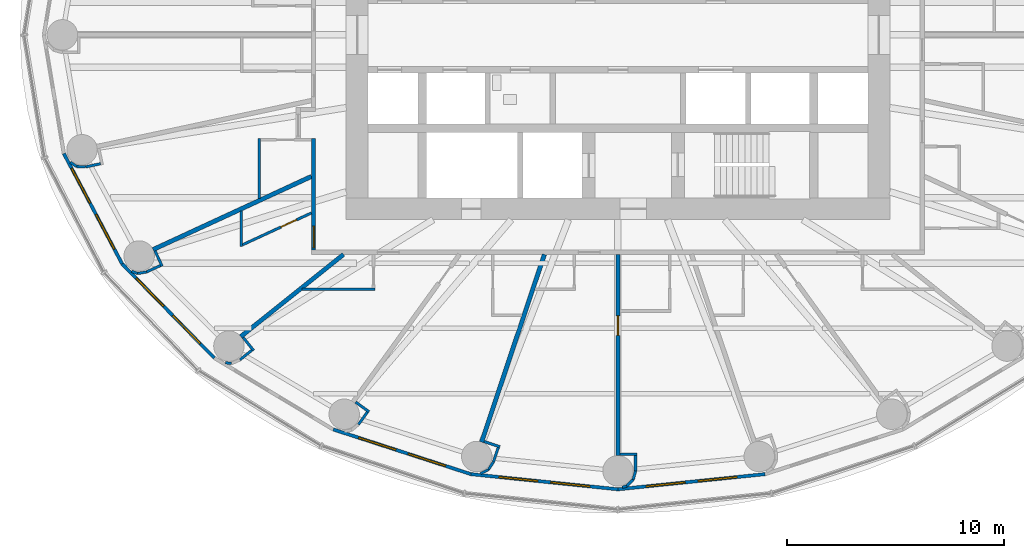
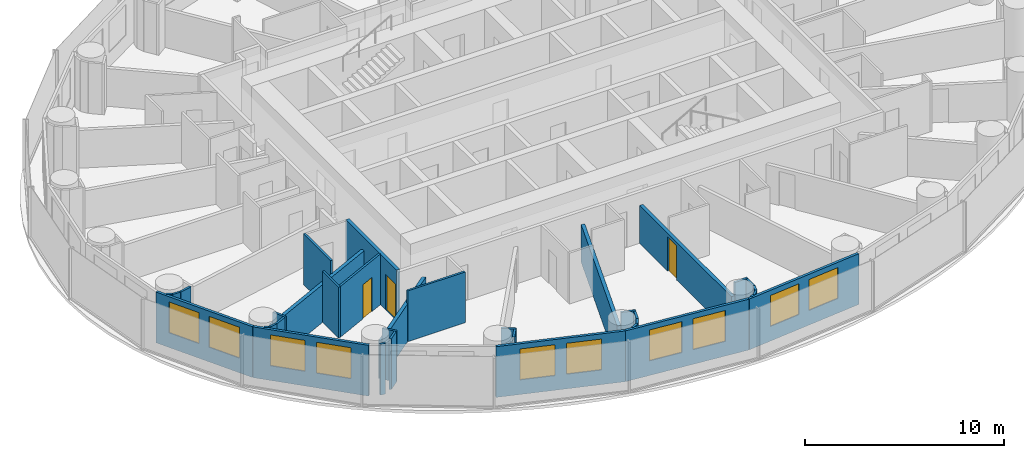
# One storey, part 6 of 16: 35 walls, 10 windows, 3 doors, 13 openings.
"""IFC4 building model written with IfcOpenShell, lengths in metres."""

from ifc_helpers import new_model, si_unit, direction, frame, frame_2d, origin, place, context, subcontext, project, spatial, rectangle, extrude, material, layer, layer_set, type_object, element, fill, save


model = new_model("IFC4")

# Units and contexts
model_context = context("Model", 3, precision=1e-05, world=origin(), true_north=direction((0.0, 1.0)))
body_context = subcontext(model_context, "Body", "Model", "MODEL_VIEW")
ifc_project = project(units=[si_unit("LENGTHUNIT", "METRE"), si_unit("AREAUNIT", "SQUARE_METRE"), si_unit("VOLUMEUNIT", "CUBIC_METRE"), si_unit("PLANEANGLEUNIT", "RADIAN"), si_unit("MASSUNIT", "GRAM", prefix="KILO")], contexts=[model_context])

# Site, building, storey
site_placement = place(None, origin())
site = spatial("IfcSite", under=ifc_project, at=site_placement, CompositionType="ELEMENT")
building_placement = place(site_placement, origin())
building = spatial("IfcBuilding", under=site, at=building_placement, Name="Hankou Lantern Tower", CompositionType="ELEMENT")
storey_placement = place(building_placement, frame((0.0, 0.0, 70.5)))
storey = spatial("IfcBuildingStorey", under=building, at=storey_placement, Name="L17", CompositionType="ELEMENT", Elevation=70.5)

# Wall, openings, windows
ifc_material_1 = material(Name="Aluminium spandrel panel on steel studs", Category="steel")
ifc_layer_1 = layer(ifc_material_1, 0.14990234375)
ifc_layer_set_1 = layer_set([ifc_layer_1], Name="Aluminium spandrel panel on steel studs")
wall_type_1 = type_object("IfcWallType", Name="EW1 INNER SKIN WALL 150", PredefinedType="ELEMENTEDWALL", material=ifc_layer_set_1)
wall_1_placement = place(storey_placement, frame((-25.482421875, -5.46240234375, 0.0), z_axis=(0.0, 0.0, 1.0), x_axis=(0.467296867008, -0.884100468321, 0.0)))
wall_1 = element("IfcWall", 1, at=wall_1_placement, inside=storey, type_object=wall_type_1, Name="Inner skin R14-R15 L17", PredefinedType="ELEMENTEDWALL", context=body_context, shape_type="SweptSolid", body=[
    extrude(rectangle(XDim=5.734375, YDim=0.14990234375, at=frame_2d((2.8671875, 0.0))), origin(), (0.0, 0.0, 1.0), 3.1201171875),
])
opening_1_placement = place(wall_1_placement, frame((0.76708984375, 0.0, 0.89990234375)))
opening_1 = element("IfcOpeningElement", 2, at=opening_1_placement, cuts=wall_1, Name="Opening W1", PredefinedType="OPENING", context=body_context, shape_type="SweptSolid", body=[
    extrude(rectangle(XDim=1.800048828125, YDim=1.89990234375, at=frame_2d((0.89990234375, 0.949951171875))), frame((0.0, 0.0849609375, 0.0), z_axis=(0.0, -1.0, 0.0), x_axis=(1.0, 0.0, 0.0)), (0.0, 0.0, 1.0), 0.169921875),
])
opening_2_placement = place(wall_1_placement, frame((3.167236328125, 0.0, 0.89990234375)))
opening_2 = element("IfcOpeningElement", 3, at=opening_2_placement, cuts=wall_1, Name="Opening W1", PredefinedType="OPENING", context=body_context, shape_type="SweptSolid", body=[
    extrude(rectangle(XDim=1.800048828125, YDim=1.89990234375, at=frame_2d((0.89990234375, 0.949951171875))), frame((0.0, 0.0849609375, 0.0), z_axis=(0.0, -1.0, 0.0), x_axis=(1.0, 0.0, 0.0)), (0.0, 0.0, 1.0), 0.169921875),
])
ifc_material_2 = material(Name="Aluminium framed double glazed window", Category="aluminium")
window_type = type_object("IfcWindowType", Name="W1 GUEST ROOM WINDOW 1800X1900", PartitioningType="DOUBLE_PANEL_VERTICAL", PredefinedType="WINDOW", material=ifc_material_2)
window_1_placement = place(opening_1_placement, origin())
window_1 = element("IfcWindow", 4, at=window_1_placement, inside=storey, type_object=window_type, Name="Window R14.1 L17", OverallHeight=1.89990234375, OverallWidth=1.800048828125, PartitioningType="SINGLE_PANEL", PredefinedType="WINDOW", context=body_context, shape_type="SweptSolid", body=[
    extrude(rectangle(XDim=1.800048828125, YDim=1.89990234375, at=frame_2d((0.89990234375, 0.949951171875))), frame((0.0, 0.030029296875, 0.0), z_axis=(0.0, -1.0, 0.0), x_axis=(1.0, 0.0, 0.0)), (0.0, 0.0, 1.0), 0.06005859375),
])
fill(opening_1, window_1)
window_2_placement = place(opening_2_placement, origin())
window_2 = element("IfcWindow", 5, at=window_2_placement, inside=storey, type_object=window_type, Name="Window R14.2 L17", OverallHeight=1.89990234375, OverallWidth=1.800048828125, PartitioningType="SINGLE_PANEL", PredefinedType="WINDOW", context=body_context, shape_type="SweptSolid", body=[
    extrude(rectangle(XDim=1.800048828125, YDim=1.89990234375, at=frame_2d((0.89990234375, 0.949951171875))), frame((0.0, 0.030029296875, 0.0), z_axis=(0.0, -1.0, 0.0), x_axis=(1.0, 0.0, 0.0)), (0.0, 0.0, 1.0), 0.06005859375),
])
fill(opening_2, window_2)

wall_2_placement = place(storey_placement, frame((-22.802734375, -10.5322265625, 0.0), z_axis=(0.0, 0.0, 1.0), x_axis=(0.699602905915, -0.714531856557, 0.0)))
wall_2 = element("IfcWall", 6, at=wall_2_placement, inside=storey, type_object=wall_type_1, Name="Inner skin R15-R16 L17", PredefinedType="ELEMENTEDWALL", context=body_context, shape_type="SweptSolid", body=[
    extrude(rectangle(XDim=6.05078125, YDim=0.14990234375, at=frame_2d((3.025390625, 0.0))), origin(), (0.0, 0.0, 1.0), 3.1201171875),
])
opening_3_placement = place(wall_2_placement, frame((0.925537109375, 0.0, 0.89990234375)))
opening_3 = element("IfcOpeningElement", 7, at=opening_3_placement, cuts=wall_2, Name="Opening W1", PredefinedType="OPENING", context=body_context, shape_type="SweptSolid", body=[
    extrude(rectangle(XDim=1.800048828125, YDim=1.89990234375, at=frame_2d((0.89990234375, 0.949951171875))), frame((0.0, 0.0849609375, 0.0), z_axis=(0.0, -1.0, 0.0), x_axis=(1.0, 0.0, 0.0)), (0.0, 0.0, 1.0), 0.169921875),
])
opening_4_placement = place(wall_2_placement, frame((3.325439453125, 0.0, 0.89990234375)))
opening_4 = element("IfcOpeningElement", 8, at=opening_4_placement, cuts=wall_2, Name="Opening W1", PredefinedType="OPENING", context=body_context, shape_type="SweptSolid", body=[
    extrude(rectangle(XDim=1.800048828125, YDim=1.89990234375, at=frame_2d((0.89990234375, 0.949951171875))), frame((0.0, 0.0849609375, 0.0), z_axis=(0.0, -1.0, 0.0), x_axis=(1.0, 0.0, 0.0)), (0.0, 0.0, 1.0), 0.169921875),
])
window_3_placement = place(opening_3_placement, origin())
window_3 = element("IfcWindow", 9, at=window_3_placement, inside=storey, type_object=window_type, Name="Window R15.1 L17", OverallHeight=1.89990234375, OverallWidth=1.800048828125, PartitioningType="SINGLE_PANEL", PredefinedType="WINDOW", context=body_context, shape_type="SweptSolid", body=[
    extrude(rectangle(XDim=1.800048828125, YDim=1.89990234375, at=frame_2d((0.89990234375, 0.949951171875))), frame((0.0, 0.030029296875, 0.0), z_axis=(0.0, -1.0, 0.0), x_axis=(1.0, 0.0, 0.0)), (0.0, 0.0, 1.0), 0.06005859375),
])
fill(opening_3, window_3)
window_4_placement = place(opening_4_placement, origin())
window_4 = element("IfcWindow", 10, at=window_4_placement, inside=storey, type_object=window_type, Name="Window R15.2 L17", OverallHeight=1.89990234375, OverallWidth=1.800048828125, PartitioningType="SINGLE_PANEL", PredefinedType="WINDOW", context=body_context, shape_type="SweptSolid", body=[
    extrude(rectangle(XDim=1.800048828125, YDim=1.89990234375, at=frame_2d((0.89990234375, 0.949951171875))), frame((0.0, 0.030029296875, 0.0), z_axis=(0.0, -1.0, 0.0), x_axis=(1.0, 0.0, 0.0)), (0.0, 0.0, 1.0), 0.06005859375),
])
fill(opening_4, window_4)

wall_3_placement = place(storey_placement, frame((-13.096435546875, -18.14697265625, 0.0), z_axis=(0.0, 0.0, 1.0), x_axis=(0.951137534625, -0.308767534285, 0.0)))
wall_3 = element("IfcWall", 11, at=wall_3_placement, inside=storey, type_object=wall_type_1, Name="Inner skin R17-R18 L17", PredefinedType="ELEMENTEDWALL", context=body_context, shape_type="SweptSolid", body=[
    extrude(rectangle(XDim=6.6552734375, YDim=0.14990234375, at=frame_2d((3.32763671875, 0.0))), origin(), (0.0, 0.0, 1.0), 3.1201171875),
])
opening_5_placement = place(wall_3_placement, frame((1.2275390625, 0.0, 0.89990234375)))
opening_5 = element("IfcOpeningElement", 12, at=opening_5_placement, cuts=wall_3, Name="Opening W1", PredefinedType="OPENING", context=body_context, shape_type="SweptSolid", body=[
    extrude(rectangle(XDim=1.800048828125, YDim=1.89990234375, at=frame_2d((0.89990234375, 0.949951171875))), frame((0.0, 0.0849609375, 0.0), z_axis=(0.0, -1.0, 0.0), x_axis=(1.0, 0.0, 0.0)), (0.0, 0.0, 1.0), 0.169921875),
])
opening_6_placement = place(wall_3_placement, frame((3.627685546875, 0.0, 0.89990234375)))
opening_6 = element("IfcOpeningElement", 13, at=opening_6_placement, cuts=wall_3, Name="Opening W1", PredefinedType="OPENING", context=body_context, shape_type="SweptSolid", body=[
    extrude(rectangle(XDim=1.800048828125, YDim=1.89990234375, at=frame_2d((0.89990234375, 0.949951171875))), frame((0.0, 0.0849609375, 0.0), z_axis=(0.0, -1.0, 0.0), x_axis=(1.0, 0.0, 0.0)), (0.0, 0.0, 1.0), 0.169921875),
])
window_5_placement = place(opening_5_placement, origin())
window_5 = element("IfcWindow", 14, at=window_5_placement, inside=storey, type_object=window_type, Name="Window R17.1 L17", OverallHeight=1.89990234375, OverallWidth=1.800048828125, PartitioningType="SINGLE_PANEL", PredefinedType="WINDOW", context=body_context, shape_type="SweptSolid", body=[
    extrude(rectangle(XDim=1.800048828125, YDim=1.89990234375, at=frame_2d((0.89990234375, 0.949951171875))), frame((0.0, 0.030029296875, 0.0), z_axis=(0.0, -1.0, 0.0), x_axis=(1.0, 0.0, 0.0)), (0.0, 0.0, 1.0), 0.06005859375),
])
fill(opening_5, window_5)
window_6_placement = place(opening_6_placement, origin())
window_6 = element("IfcWindow", 15, at=window_6_placement, inside=storey, type_object=window_type, Name="Window R17.2 L17", OverallHeight=1.89990234375, OverallWidth=1.800048828125, PartitioningType="SINGLE_PANEL", PredefinedType="WINDOW", context=body_context, shape_type="SweptSolid", body=[
    extrude(rectangle(XDim=1.800048828125, YDim=1.89990234375, at=frame_2d((0.89990234375, 0.949951171875))), frame((0.0, 0.030029296875, 0.0), z_axis=(0.0, -1.0, 0.0), x_axis=(1.0, 0.0, 0.0)), (0.0, 0.0, 1.0), 0.06005859375),
])
fill(opening_6, window_6)

wall_4_placement = place(storey_placement, frame((-6.766357421875, -20.201904296875, 0.0), z_axis=(0.0, 0.0, 1.0), x_axis=(0.994721394369, -0.102612609291, 0.0)))
wall_4 = element("IfcWall", 16, at=wall_4_placement, inside=storey, type_object=wall_type_1, Name="Inner skin R18-R19 L17", PredefinedType="ELEMENTEDWALL", context=body_context, shape_type="SweptSolid", body=[
    extrude(rectangle(XDim=6.80224609375, YDim=0.14990234375, at=frame_2d((3.401123046875, 0.0))), origin(), (0.0, 0.0, 1.0), 3.1201171875),
])
opening_7_placement = place(wall_4_placement, frame((1.301025390625, 0.0, 0.89990234375)))
opening_7 = element("IfcOpeningElement", 17, at=opening_7_placement, cuts=wall_4, Name="Opening W1", PredefinedType="OPENING", context=body_context, shape_type="SweptSolid", body=[
    extrude(rectangle(XDim=1.800048828125, YDim=1.89990234375, at=frame_2d((0.89990234375, 0.949951171875))), frame((0.0, 0.0849609375, 0.0), z_axis=(0.0, -1.0, 0.0), x_axis=(1.0, 0.0, 0.0)), (0.0, 0.0, 1.0), 0.169921875),
])
opening_8_placement = place(wall_4_placement, frame((3.701171875, 0.0, 0.89990234375)))
opening_8 = element("IfcOpeningElement", 18, at=opening_8_placement, cuts=wall_4, Name="Opening W1", PredefinedType="OPENING", context=body_context, shape_type="SweptSolid", body=[
    extrude(rectangle(XDim=1.800048828125, YDim=1.89990234375, at=frame_2d((0.89990234375, 0.949951171875))), frame((0.0, 0.0849609375, 0.0), z_axis=(0.0, -1.0, 0.0), x_axis=(1.0, 0.0, 0.0)), (0.0, 0.0, 1.0), 0.169921875),
])
window_7_placement = place(opening_7_placement, origin())
window_7 = element("IfcWindow", 19, at=window_7_placement, inside=storey, type_object=window_type, Name="Window R18.1 L17", OverallHeight=1.89990234375, OverallWidth=1.800048828125, PartitioningType="SINGLE_PANEL", PredefinedType="WINDOW", context=body_context, shape_type="SweptSolid", body=[
    extrude(rectangle(XDim=1.800048828125, YDim=1.89990234375, at=frame_2d((0.89990234375, 0.949951171875))), frame((0.0, 0.030029296875, 0.0), z_axis=(0.0, -1.0, 0.0), x_axis=(1.0, 0.0, 0.0)), (0.0, 0.0, 1.0), 0.06005859375),
])
fill(opening_7, window_7)
window_8_placement = place(opening_8_placement, origin())
window_8 = element("IfcWindow", 20, at=window_8_placement, inside=storey, type_object=window_type, Name="Window R18.2 L17", OverallHeight=1.89990234375, OverallWidth=1.800048828125, PartitioningType="SINGLE_PANEL", PredefinedType="WINDOW", context=body_context, shape_type="SweptSolid", body=[
    extrude(rectangle(XDim=1.800048828125, YDim=1.89990234375, at=frame_2d((0.89990234375, 0.949951171875))), frame((0.0, 0.030029296875, 0.0), z_axis=(0.0, -1.0, 0.0), x_axis=(1.0, 0.0, 0.0)), (0.0, 0.0, 1.0), 0.06005859375),
])
fill(opening_8, window_8)

wall_5_placement = place(storey_placement, frame((0.0, -20.89990234375, 0.0), z_axis=(0.0, 0.0, 1.0), x_axis=(0.994721394369, 0.102612609291, 0.0)))
wall_5 = element("IfcWall", 21, at=wall_5_placement, inside=storey, type_object=wall_type_1, Name="Inner skin R19-R20 L17", PredefinedType="ELEMENTEDWALL", context=body_context, shape_type="SweptSolid", body=[
    extrude(rectangle(XDim=6.80224609375, YDim=0.14990234375, at=frame_2d((3.401123046875, 0.0))), origin(), (0.0, 0.0, 1.0), 3.1201171875),
])
opening_9_placement = place(wall_5_placement, frame((1.301025390625, 0.0, 0.89990234375)))
opening_9 = element("IfcOpeningElement", 22, at=opening_9_placement, cuts=wall_5, Name="Opening W1", PredefinedType="OPENING", context=body_context, shape_type="SweptSolid", body=[
    extrude(rectangle(XDim=1.800048828125, YDim=1.89990234375, at=frame_2d((0.89990234375, 0.949951171875))), frame((0.0, 0.0849609375, 0.0), z_axis=(0.0, -1.0, 0.0), x_axis=(1.0, 0.0, 0.0)), (0.0, 0.0, 1.0), 0.169921875),
])
opening_10_placement = place(wall_5_placement, frame((3.701171875, 0.0, 0.89990234375)))
opening_10 = element("IfcOpeningElement", 23, at=opening_10_placement, cuts=wall_5, Name="Opening W1", PredefinedType="OPENING", context=body_context, shape_type="SweptSolid", body=[
    extrude(rectangle(XDim=1.800048828125, YDim=1.89990234375, at=frame_2d((0.89990234375, 0.949951171875))), frame((0.0, 0.0849609375, 0.0), z_axis=(0.0, -1.0, 0.0), x_axis=(1.0, 0.0, 0.0)), (0.0, 0.0, 1.0), 0.169921875),
])
window_9_placement = place(opening_9_placement, origin())
window_9 = element("IfcWindow", 24, at=window_9_placement, inside=storey, type_object=window_type, Name="Window R19.1 L17", OverallHeight=1.89990234375, OverallWidth=1.800048828125, PartitioningType="SINGLE_PANEL", PredefinedType="WINDOW", context=body_context, shape_type="SweptSolid", body=[
    extrude(rectangle(XDim=1.800048828125, YDim=1.89990234375, at=frame_2d((0.89990234375, 0.949951171875))), frame((0.0, 0.030029296875, 0.0), z_axis=(0.0, -1.0, 0.0), x_axis=(1.0, 0.0, 0.0)), (0.0, 0.0, 1.0), 0.06005859375),
])
fill(opening_9, window_9)
window_10_placement = place(opening_10_placement, origin())
window_10 = element("IfcWindow", 25, at=window_10_placement, inside=storey, type_object=window_type, Name="Window R19.2 L17", OverallHeight=1.89990234375, OverallWidth=1.800048828125, PartitioningType="SINGLE_PANEL", PredefinedType="WINDOW", context=body_context, shape_type="SweptSolid", body=[
    extrude(rectangle(XDim=1.800048828125, YDim=1.89990234375, at=frame_2d((0.89990234375, 0.949951171875))), frame((0.0, 0.030029296875, 0.0), z_axis=(0.0, -1.0, 0.0), x_axis=(1.0, 0.0, 0.0)), (0.0, 0.0, 1.0), 0.06005859375),
])
fill(opening_10, window_10)

# Walls
ifc_material_3 = material(Name="Masonry lightweight concrete block", Category="masonry")
ifc_layer_2 = layer(ifc_material_3, 0.199951171875)
ifc_layer_set_2 = layer_set([ifc_layer_2], Name="Masonry lightweight concrete block")
wall_type_2 = type_object("IfcWallType", Name="IW1 GUEST ROOM PARTY WALL 200", PredefinedType="PARTITIONING", material=ifc_layer_set_2)
wall_6_placement = place(storey_placement, frame((-14.10009765625, -6.512451171875, 0.0), z_axis=(0.0, 0.0, 1.0), x_axis=(-0.907832871056, -0.419332181247, 0.0)))
element("IfcWall", 26, at=wall_6_placement, inside=storey, type_object=wall_type_2, Name="Party wall R15", PredefinedType="PARTITIONING", context=body_context, shape_type="SweptSolid", body=[
    extrude(rectangle(XDim=8.02294921875, YDim=0.199951171875, at=frame_2d((4.011474609375, 0.0))), origin(), (0.0, 0.0, 1.0), 2.320068359375),
])
wall_7_placement = place(storey_placement, frame((-12.625, -10.10009765625, 0.0), z_axis=(0.0, 0.0, 1.0), x_axis=(-0.780892451574, -0.624665493744, 0.0)))
element("IfcWall", 27, at=wall_7_placement, inside=storey, type_object=wall_type_2, Name="Party wall R16", PredefinedType="PARTITIONING", context=body_context, shape_type="SweptSolid", body=[
    extrude(rectangle(XDim=6.044677734375, YDim=0.199951171875, at=frame_2d((3.0224609375, 0.0))), origin(), (0.0, 0.0, 1.0), 2.320068359375),
])
wall_8_placement = place(storey_placement, frame((-3.3828125, -10.10009765625, 0.0), z_axis=(0.0, 0.0, 1.0), x_axis=(-0.31759592231, -0.948226149256, 0.0)))
element("IfcWall", 28, at=wall_8_placement, inside=storey, type_object=wall_type_2, Name="Party wall R18", PredefinedType="PARTITIONING", context=body_context, shape_type="SweptSolid", body=[
    extrude(rectangle(XDim=9.098388671875, YDim=0.199951171875, at=frame_2d((4.54931640625, 0.0))), origin(), (0.0, 0.0, 1.0), 2.320068359375),
])

# Wall, opening, door
ifc_material_4 = material(Name="Masonry lightweight concrete block", Category="masonry")
ifc_layer_3 = layer(ifc_material_4, 0.199951171875)
ifc_layer_set_3 = layer_set([ifc_layer_3], Name="Masonry lightweight concrete block")
wall_type_3 = type_object("IfcWallType", Name="IW2 CORRIDOR WALL 200", PredefinedType="PARTITIONING", material=ifc_layer_set_3)
wall_9_placement = place(storey_placement, frame((-14.0, -4.7724609375, 0.0), z_axis=(0.0, 0.0, 1.0), x_axis=(0.0, -1.0, 0.0)))
wall_9 = element("IfcWall", 29, at=wall_9_placement, inside=storey, type_object=wall_type_3, Name="Corridor wall west", PredefinedType="PARTITIONING", context=body_context, shape_type="SweptSolid", body=[
    extrude(rectangle(XDim=5.12744140625, YDim=0.199951171875, at=frame_2d((2.563720703125, 0.0))), origin(), (0.0, 0.0, 1.0), 3.1201171875),
])
opening_11_placement = place(wall_9_placement, frame((4.02490234375, 0.0, 0.0)))
opening_11 = element("IfcOpeningElement", 30, at=opening_11_placement, cuts=wall_9, Name="Opening D1", PredefinedType="OPENING", context=body_context, shape_type="SweptSolid", body=[
    extrude(rectangle(XDim=1.0, YDim=2.199951171875, at=frame_2d((0.5, 1.10009765625))), frame((0.0, 0.10986328125, 0.0), z_axis=(0.0, -1.0, 0.0), x_axis=(1.0, 0.0, 0.0)), (0.0, 0.0, 1.0), 0.219970703125),
])
ifc_material_5 = material(Name="Steel door leaf", Category="steel")
door_type_1 = type_object("IfcDoorType", Name="D1 GUEST ROOM DOOR 1000X2200", OperationType="SINGLE_SWING_LEFT", PredefinedType="DOOR", material=ifc_material_5)
door_1_placement = place(opening_11_placement, origin())
door_1 = element("IfcDoor", 31, at=door_1_placement, inside=storey, type_object=door_type_1, Name="Guest room door 1720", OperationType="SINGLE_SWING_RIGHT", OverallHeight=2.199951171875, OverallWidth=1.0, PredefinedType="DOOR", context=body_context, shape_type="SweptSolid", body=[
    extrude(rectangle(XDim=1.0, YDim=2.199951171875, at=frame_2d((0.5, 1.10009765625))), frame((0.0, 0.02490234375, 0.0), z_axis=(0.0, -1.0, 0.0), x_axis=(1.0, 0.0, 0.0)), (0.0, 0.0, 1.0), 0.050048828125),
])
fill(opening_11, door_1)

# Walls
ifc_material_6 = material(Name="Masonry lightweight concrete block", Category="masonry")
ifc_layer_4 = layer(ifc_material_6, 0.1201171875)
ifc_layer_set_4 = layer_set([ifc_layer_4], Name="Masonry lightweight concrete block")
wall_type_4 = type_object("IfcWallType", Name="IW3 BATHROOM WALL 120", PredefinedType="PARTITIONING", material=ifc_layer_set_4)
wall_10_placement = place(storey_placement, frame((-14.52490234375, -11.699951171875, 0.0), z_axis=(0.0, 0.0, 1.0), x_axis=(1.0, 0.0, 0.0)))
element("IfcWall", 32, at=wall_10_placement, inside=storey, type_object=wall_type_4, Name="Box wall 1701C 1", PredefinedType="PARTITIONING", context=body_context, shape_type="SweptSolid", body=[
    extrude(rectangle(XDim=3.33984375, YDim=0.1201171875, at=frame_2d((1.669921875, 0.0))), origin(), (0.0, 0.0, 1.0), 3.1201171875),
])
wall_11_placement = place(storey_placement, frame((-16.5, -7.52099609375, 0.0), z_axis=(0.0, 0.0, 1.0), x_axis=(0.0, 1.0, 0.0)))
element("IfcWall", 33, at=wall_11_placement, inside=storey, type_object=wall_type_4, Name="Box wall 1719 1", PredefinedType="PARTITIONING", context=body_context, shape_type="SweptSolid", body=[
    extrude(rectangle(XDim=2.74853515625, YDim=0.1201171875, at=frame_2d((1.374267578125, 0.0))), origin(), (0.0, 0.0, 1.0), 3.1201171875),
])
wall_12_placement = place(storey_placement, frame((-17.32275390625, -8.10107421875, 0.0), z_axis=(0.0, 0.0, 1.0), x_axis=(0.0, -1.0, 0.0)))
element("IfcWall", 34, at=wall_12_placement, inside=storey, type_object=wall_type_4, Name="Box wall 1720 1", PredefinedType="PARTITIONING", context=body_context, shape_type="SweptSolid", body=[
    extrude(rectangle(XDim=1.639892578125, YDim=0.1201171875, at=frame_2d((0.81982421875, 0.0))), origin(), (0.0, 0.0, 1.0), 3.1201171875),
])

# Wall, opening, door
wall_13_placement = place(storey_placement, frame((-14.10009765625, -8.192626953125, 0.0), z_axis=(0.0, 0.0, 1.0), x_axis=(-0.907836493557, -0.419324338628, 0.0)))
wall_13 = element("IfcWall", 35, at=wall_13_placement, inside=storey, type_object=wall_type_4, Name="Box wall 1720 1", PredefinedType="PARTITIONING", context=body_context, shape_type="SweptSolid", body=[
    extrude(rectangle(XDim=3.48974609375, YDim=0.1201171875, at=frame_2d((1.744873046875, 0.0))), origin(), (0.0, 0.0, 1.0), 3.1201171875),
])
opening_12_placement = place(wall_13_placement, frame((0.75, 0.0, 0.0)))
opening_12 = element("IfcOpeningElement", 36, at=opening_12_placement, cuts=wall_13, Name="Opening D3", PredefinedType="OPENING", context=body_context, shape_type="SweptSolid", body=[
    extrude(rectangle(XDim=0.800048828125, YDim=2.10009765625, at=frame_2d((0.39990234375, 1.050048828125))), frame((0.0, 0.070068359375, 0.0), z_axis=(0.0, -1.0, 0.0), x_axis=(1.0, 0.0, 0.0)), (0.0, 0.0, 1.0), 0.14013671875),
])
ifc_material_7 = material(Name="Timber door leaf", Category="wood")
door_type_2 = type_object("IfcDoorType", Name="D3 BATHROOM DOOR 800X2100", OperationType="SINGLE_SWING_LEFT", PredefinedType="DOOR", material=ifc_material_7)
door_2_placement = place(opening_12_placement, origin())
door_2 = element("IfcDoor", 37, at=door_2_placement, inside=storey, type_object=door_type_2, Name="En-suite bathroom 1720 door", OperationType="SINGLE_SWING_LEFT", OverallHeight=2.10009765625, OverallWidth=0.800048828125, PredefinedType="DOOR", context=body_context, shape_type="SweptSolid", body=[
    extrude(rectangle(XDim=0.800048828125, YDim=2.10009765625, at=frame_2d((0.39990234375, 1.050048828125))), frame((0.0, 0.02490234375, 0.0), z_axis=(0.0, -1.0, 0.0), x_axis=(1.0, 0.0, 0.0)), (0.0, 0.0, 1.0), 0.050048828125),
])
fill(opening_12, door_2)

# Walls
ifc_material_8 = material(Name="Masonry lightweight concrete block", Category="masonry")
ifc_layer_5 = layer(ifc_material_8, 0.1201171875)
ifc_layer_set_5 = layer_set([ifc_layer_5], Name="Masonry lightweight concrete block")
wall_type_5 = type_object("IfcWallType", Name="IW4 PARTITION 120", PredefinedType="PARTITIONING", material=ifc_layer_set_5)
wall_14_placement = place(storey_placement, frame((-23.793212890625, -5.92626953125, 0.0), z_axis=(0.0, 0.0, 1.0), x_axis=(-0.977792206673, -0.209576717621, 0.0)))
element("IfcWall", 38, at=wall_14_placement, inside=storey, type_object=wall_type_5, Name="Column casing R14", PredefinedType="PARTITIONING", context=body_context, shape_type="SweptSolid", body=[
    extrude(rectangle(XDim=0.7001953125, YDim=0.1201171875, at=frame_2d((0.35009765625, 0.0))), origin(), (0.0, 0.0, 1.0), 3.1201171875),
])
wall_15_placement = place(storey_placement, frame((-24.477783203125, -6.072998046875, 0.0), z_axis=(0.0, 0.0, 1.0), x_axis=(-0.998708262812, 0.05081147302, 0.0)))
element("IfcWall", 39, at=wall_15_placement, inside=storey, type_object=wall_type_5, Name="Column casing R14", PredefinedType="PARTITIONING", context=body_context, shape_type="SweptSolid", body=[
    extrude(rectangle(XDim=0.41796875, YDim=0.1201171875, at=frame_2d((0.208984375, 0.0))), origin(), (0.0, 0.0, 1.0), 3.1201171875),
])
wall_16_placement = place(storey_placement, frame((-24.895263671875, -6.0517578125, 0.0), z_axis=(0.0, 0.0, 1.0), x_axis=(-0.839495197275, 0.54336710772, 0.0)))
element("IfcWall", 40, at=wall_16_placement, inside=storey, type_object=wall_type_5, Name="Column casing R14", PredefinedType="PARTITIONING", context=body_context, shape_type="SweptSolid", body=[
    extrude(rectangle(XDim=0.349609375, YDim=0.1201171875, at=frame_2d((0.1748046875, 0.0))), origin(), (0.0, 0.0, 1.0), 3.1201171875),
])
wall_17_placement = place(storey_placement, frame((-21.287109375, -9.9423828125, 0.0), z_axis=(0.0, 0.0, 1.0), x_axis=(0.419259891039, -0.907866258744, 0.0)))
element("IfcWall", 41, at=wall_17_placement, inside=storey, type_object=wall_type_5, Name="Column casing R15 return", PredefinedType="PARTITIONING", context=body_context, shape_type="SweptSolid", body=[
    extrude(rectangle(XDim=0.767578125, YDim=0.1201171875, at=frame_2d((0.3837890625, 0.0))), origin(), (0.0, 0.0, 1.0), 3.1201171875),
])
wall_18_placement = place(storey_placement, frame((-21.044921875, -10.60986328125, 0.0), z_axis=(0.0, 0.0, 1.0), x_axis=(-0.907877701396, -0.419235112208, 0.0)))
element("IfcWall", 42, at=wall_18_placement, inside=storey, type_object=wall_type_5, Name="Column casing R15", PredefinedType="PARTITIONING", context=body_context, shape_type="SweptSolid", body=[
    extrude(rectangle(XDim=0.699951171875, YDim=0.1201171875, at=frame_2d((0.35009765625, 0.0))), origin(), (0.0, 0.0, 1.0), 3.1201171875),
])
wall_19_placement = place(storey_placement, frame((-21.680419921875, -10.9033203125, 0.0), z_axis=(0.0, 0.0, 1.0), x_axis=(-0.985446622073, -0.169985161247, 0.0)))
element("IfcWall", 43, at=wall_19_placement, inside=storey, type_object=wall_type_5, Name="Column casing R15", PredefinedType="PARTITIONING", context=body_context, shape_type="SweptSolid", body=[
    extrude(rectangle(XDim=0.41796875, YDim=0.1201171875, at=frame_2d((0.208984375, 0.0))), origin(), (0.0, 0.0, 1.0), 3.1201171875),
])
wall_20_placement = place(storey_placement, frame((-22.09228515625, -10.974365234375, 0.0), z_axis=(0.0, 0.0, 1.0), x_axis=(-0.938428160676, 0.345474437912, 0.0)))
element("IfcWall", 44, at=wall_20_placement, inside=storey, type_object=wall_type_5, Name="Column casing R15", PredefinedType="PARTITIONING", context=body_context, shape_type="SweptSolid", body=[
    extrude(rectangle(XDim=0.2939453125, YDim=0.1201171875, at=frame_2d((0.14697265625, 0.0))), origin(), (0.0, 0.0, 1.0), 3.1201171875),
])
wall_21_placement = place(storey_placement, frame((-17.23583984375, -13.916748046875, 0.0), z_axis=(0.0, 0.0, 1.0), x_axis=(0.624695047554, -0.780868809443, 0.0)))
element("IfcWall", 45, at=wall_21_placement, inside=storey, type_object=wall_type_5, Name="Column casing R16 return", PredefinedType="PARTITIONING", context=body_context, shape_type="SweptSolid", body=[
    extrude(rectangle(XDim=0.767578125, YDim=0.1201171875, at=frame_2d((0.3837890625, 0.0))), origin(), (0.0, 0.0, 1.0), 3.1201171875),
])
wall_22_placement = place(storey_placement, frame((-16.840576171875, -14.506591796875, 0.0), z_axis=(0.0, 0.0, 1.0), x_axis=(-0.780902834923, -0.62465251333, 0.0)))
element("IfcWall", 46, at=wall_22_placement, inside=storey, type_object=wall_type_5, Name="Column casing R16", PredefinedType="PARTITIONING", context=body_context, shape_type="SweptSolid", body=[
    extrude(rectangle(XDim=0.699951171875, YDim=0.1201171875, at=frame_2d((0.35009765625, 0.0))), origin(), (0.0, 0.0, 1.0), 3.1201171875),
])
wall_23_placement = place(storey_placement, frame((-17.770263671875, -15.111572265625, 0.0), z_axis=(0.0, 0.0, 1.0), x_axis=(-0.993904401174, 0.110245368731, 0.0)))
element("IfcWall", 47, at=wall_23_placement, inside=storey, type_object=wall_type_5, Name="Column casing R16", PredefinedType="PARTITIONING", context=body_context, shape_type="SweptSolid", body=[
    extrude(rectangle(XDim=0.287841796875, YDim=0.1201171875, at=frame_2d((0.14404296875, 0.0))), origin(), (0.0, 0.0, 1.0), 3.1201171875),
])
wall_24_placement = place(storey_placement, frame((-12.06494140625, -16.888671875, 0.0), z_axis=(0.0, 0.0, 1.0), x_axis=(0.810821798253, -0.585293098778, 0.0)))
element("IfcWall", 48, at=wall_24_placement, inside=storey, type_object=wall_type_5, Name="Column casing R17 return", PredefinedType="PARTITIONING", context=body_context, shape_type="SweptSolid", body=[
    extrude(rectangle(XDim=0.767578125, YDim=0.1201171875, at=frame_2d((0.3837890625, 0.0))), origin(), (0.0, 0.0, 1.0), 3.1201171875),
])
wall_25_placement = place(storey_placement, frame((-11.5263671875, -17.351318359375, 0.0), z_axis=(0.0, 0.0, 1.0), x_axis=(-0.585223113993, -0.810872312296, 0.0)))
element("IfcWall", 49, at=wall_25_placement, inside=storey, type_object=wall_type_5, Name="Column casing R17", PredefinedType="PARTITIONING", context=body_context, shape_type="SweptSolid", body=[
    extrude(rectangle(XDim=0.699951171875, YDim=0.1201171875, at=frame_2d((0.35009765625, 0.0))), origin(), (0.0, 0.0, 1.0), 3.1201171875),
])
wall_26_placement = place(storey_placement, frame((-6.15869140625, -18.702392578125, 0.0), z_axis=(0.0, 0.0, 1.0), x_axis=(0.948173154049, -0.31775410295, 0.0)))
element("IfcWall", 50, at=wall_26_placement, inside=storey, type_object=wall_type_5, Name="Column casing R18 return", PredefinedType="PARTITIONING", context=body_context, shape_type="SweptSolid", body=[
    extrude(rectangle(XDim=0.767578125, YDim=0.1201171875, at=frame_2d((0.3837890625, 0.0))), origin(), (0.0, 0.0, 1.0), 3.1201171875),
])
wall_27_placement = place(storey_placement, frame((-5.5068359375, -18.984130859375, 0.0), z_axis=(0.0, 0.0, 1.0), x_axis=(-0.317692050622, -0.948193946918, 0.0)))
element("IfcWall", 51, at=wall_27_placement, inside=storey, type_object=wall_type_5, Name="Column casing R18", PredefinedType="PARTITIONING", context=body_context, shape_type="SweptSolid", body=[
    extrude(rectangle(XDim=0.7001953125, YDim=0.1201171875, at=frame_2d((0.35009765625, 0.0))), origin(), (0.0, 0.0, 1.0), 3.1201171875),
])
wall_28_placement = place(storey_placement, frame((-5.729248046875, -19.64794921875, 0.0), z_axis=(0.0, 0.0, 1.0), x_axis=(-0.552135764955, -0.833754218615, 0.0)))
element("IfcWall", 52, at=wall_28_placement, inside=storey, type_object=wall_type_5, Name="Column casing R18", PredefinedType="PARTITIONING", context=body_context, shape_type="SweptSolid", body=[
    extrude(rectangle(XDim=0.41796875, YDim=0.1201171875, at=frame_2d((0.208984375, 0.0))), origin(), (0.0, 0.0, 1.0), 3.1201171875),
])
wall_29_placement = place(storey_placement, frame((-5.9599609375, -19.996337890625, 0.0), z_axis=(0.0, 0.0, 1.0), x_axis=(-0.895160725913, -0.445743507842, 0.0)))
element("IfcWall", 53, at=wall_29_placement, inside=storey, type_object=wall_type_5, Name="Column casing R18", PredefinedType="PARTITIONING", context=body_context, shape_type="SweptSolid", body=[
    extrude(rectangle(XDim=0.398681640625, YDim=0.1201171875, at=frame_2d((0.19921875, 0.0))), origin(), (0.0, 0.0, 1.0), 3.1201171875),
])
wall_30_placement = place(storey_placement, frame((0.10009765625, -19.2900390625, 0.0), z_axis=(0.0, 0.0, 1.0), x_axis=(1.0, 0.0, 0.0)))
element("IfcWall", 54, at=wall_30_placement, inside=storey, type_object=wall_type_5, Name="Column casing R19 return", PredefinedType="PARTITIONING", context=body_context, shape_type="SweptSolid", body=[
    extrude(rectangle(XDim=0.767333984375, YDim=0.1201171875, at=frame_2d((0.3837890625, 0.0))), origin(), (0.0, 0.0, 1.0), 3.1201171875),
])
wall_31_placement = place(storey_placement, frame((0.8076171875, -19.35009765625, 0.0), z_axis=(0.0, 0.0, 1.0), x_axis=(0.0, -1.0, 0.0)))
element("IfcWall", 55, at=wall_31_placement, inside=storey, type_object=wall_type_5, Name="Column casing R19", PredefinedType="PARTITIONING", context=body_context, shape_type="SweptSolid", body=[
    extrude(rectangle(XDim=0.699951171875, YDim=0.1201171875, at=frame_2d((0.35009765625, 0.0))), origin(), (0.0, 0.0, 1.0), 3.1201171875),
])
wall_32_placement = place(storey_placement, frame((0.8076171875, -20.050048828125, 0.0), z_axis=(0.0, 0.0, 1.0), x_axis=(-0.2592614205, -0.965807183573, 0.0)))
element("IfcWall", 56, at=wall_32_placement, inside=storey, type_object=wall_type_5, Name="Column casing R19", PredefinedType="PARTITIONING", context=body_context, shape_type="SweptSolid", body=[
    extrude(rectangle(XDim=0.418212890625, YDim=0.1201171875, at=frame_2d((0.208984375, 0.0))), origin(), (0.0, 0.0, 1.0), 3.1201171875),
])
wall_33_placement = place(storey_placement, frame((0.69921875, -20.453857421875, 0.0), z_axis=(0.0, 0.0, 1.0), x_axis=(-0.707106781187, -0.707106781187, 0.0)))
element("IfcWall", 57, at=wall_33_placement, inside=storey, type_object=wall_type_5, Name="Column casing R19", PredefinedType="PARTITIONING", context=body_context, shape_type="SweptSolid", body=[
    extrude(rectangle(XDim=0.417724609375, YDim=0.1201171875, at=frame_2d((0.208984375, 0.0))), origin(), (0.0, 0.0, 1.0), 3.1201171875),
])
wall_34_placement = place(storey_placement, frame((0.40380859375, -20.749267578125, 0.0), z_axis=(0.0, 0.0, 1.0), x_axis=(-0.965759066438, -0.25944060128, 0.0)))
element("IfcWall", 58, at=wall_34_placement, inside=storey, type_object=wall_type_5, Name="Column casing R19", PredefinedType="PARTITIONING", context=body_context, shape_type="SweptSolid", body=[
    extrude(rectangle(XDim=0.213623046875, YDim=0.1201171875, at=frame_2d((0.10693359375, 0.0))), origin(), (0.0, 0.0, 1.0), 3.1201171875),
])

# Wall, opening, door
ifc_material_9 = material(Name="Masonry lightweight concrete block", Category="masonry")
ifc_layer_6 = layer(ifc_material_9, 0.199951171875)
ifc_layer_set_6 = layer_set([ifc_layer_6], Name="Masonry lightweight concrete block")
wall_type_6 = type_object("IfcWallType", Name="IW6 SUITE PARTITION 200", PredefinedType="PARTITIONING", material=ifc_layer_set_6)
wall_35_placement = place(storey_placement, frame((0.0, -10.10009765625, 0.0), z_axis=(0.0, 0.0, 1.0), x_axis=(0.0, -1.0, 0.0)))
wall_35 = element("IfcWall", 59, at=wall_35_placement, inside=storey, type_object=wall_type_6, Name="Suite partition R19", PredefinedType="PARTITIONING", context=body_context, shape_type="SweptSolid", body=[
    extrude(rectangle(XDim=9.25, YDim=0.199951171875, at=frame_2d((4.625, 0.0))), origin(), (0.0, 0.0, 1.0), 2.320068359375),
])
opening_13_placement = place(wall_35_placement, frame((2.820068359375, 0.0, 0.0)))
opening_13 = element("IfcOpeningElement", 60, at=opening_13_placement, cuts=wall_35, Name="Opening D27", PredefinedType="OPENING", context=body_context, shape_type="SweptSolid", body=[
    extrude(rectangle(XDim=0.89990234375, YDim=2.10009765625, at=frame_2d((0.449951171875, 1.050048828125))), frame((0.0, 0.10986328125, 0.0), z_axis=(0.0, -1.0, 0.0), x_axis=(1.0, 0.0, 0.0)), (0.0, 0.0, 1.0), 0.219970703125),
])
ifc_material_10 = material(Name="Timber door leaf", Category="wood")
door_type_3 = type_object("IfcDoorType", Name="D27 INTERNAL DOOR 900X2100", OperationType="SINGLE_SWING_LEFT", PredefinedType="DOOR", material=ifc_material_10)
door_3_placement = place(opening_13_placement, origin())
door_3 = element("IfcDoor", 61, at=door_3_placement, inside=storey, type_object=door_type_3, Name="Suite 1702 bedroom door", OperationType="SINGLE_SWING_LEFT", OverallHeight=2.10009765625, OverallWidth=0.89990234375, PredefinedType="DOOR", context=body_context, shape_type="SweptSolid", body=[
    extrude(rectangle(XDim=0.89990234375, YDim=2.10009765625, at=frame_2d((0.449951171875, 1.050048828125))), frame((0.0, 0.02490234375, 0.0), z_axis=(0.0, -1.0, 0.0), x_axis=(1.0, 0.0, 0.0)), (0.0, 0.0, 1.0), 0.050048828125),
])
fill(opening_13, door_3)

save(model, "model.ifc")
